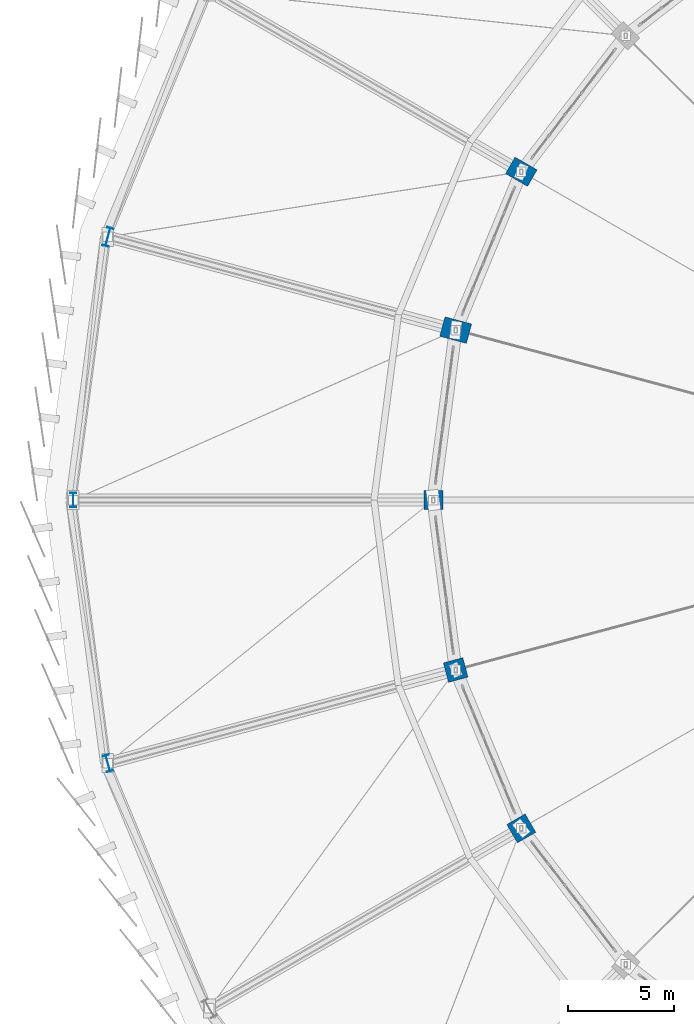
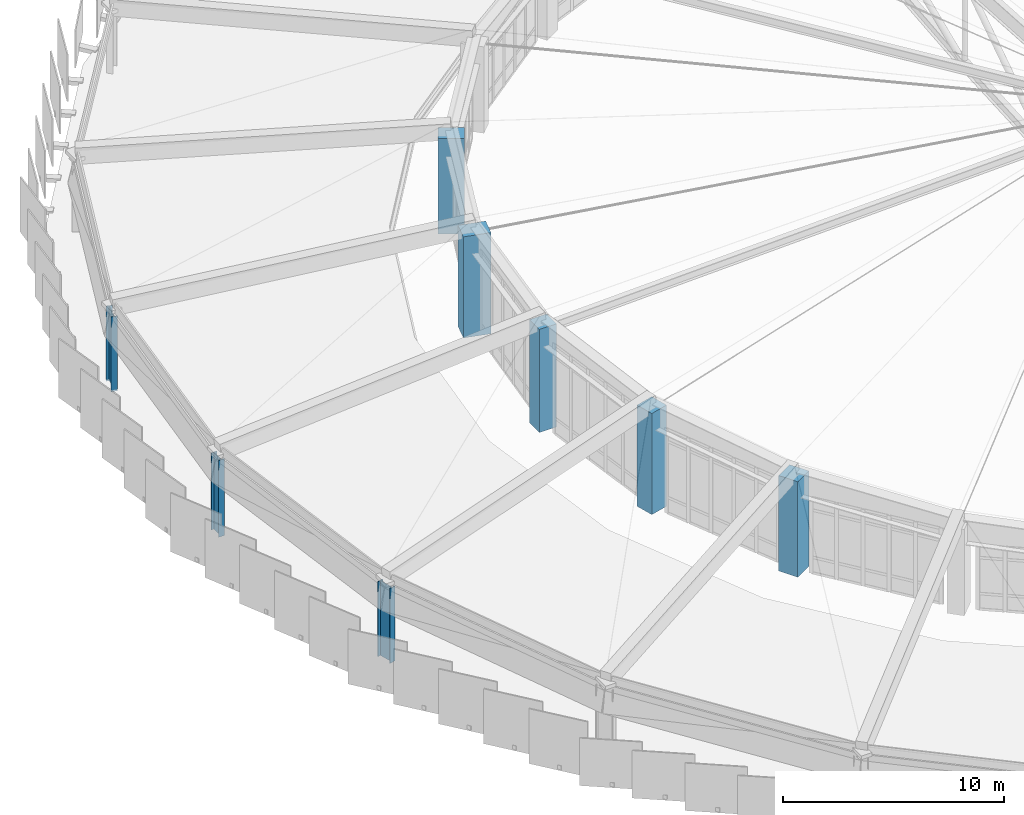
# One storey, part 2 of 68: 8 columns.
"""IFC4 building model written with IfcOpenShell, lengths in metres."""

from ifc_helpers import new_model, si_unit, direction, frame, origin, origin_2d, place, context, subcontext, project, spatial, rectangle, i_section, extrude, material, material_profile, profile_set, type_object, element, save


model = new_model("IFC4")

# Units and contexts
model_context = context("Model", 3, precision=1e-05, world=origin(), true_north=direction((0.0, 1.0)))
body_context = subcontext(model_context, "Body", "Model", "MODEL_VIEW")
ifc_project = project(units=[si_unit("LENGTHUNIT", "METRE"), si_unit("AREAUNIT", "SQUARE_METRE"), si_unit("VOLUMEUNIT", "CUBIC_METRE"), si_unit("PLANEANGLEUNIT", "RADIAN"), si_unit("MASSUNIT", "GRAM", prefix="KILO")], contexts=[model_context])

# Site, building, storey
site_placement = place(None, origin())
site = spatial("IfcSite", under=ifc_project, at=site_placement, CompositionType="ELEMENT")
building_placement = place(site_placement, origin())
building = spatial("IfcBuilding", under=site, at=building_placement, Name="Sohan Crest Arena", CompositionType="ELEMENT")
storey_placement = place(building_placement, frame((0.0, 0.0, 27.0)))
storey = spatial("IfcBuildingStorey", under=building, at=storey_placement, Name="RF", CompositionType="ELEMENT", Elevation=27.0)

# Columns
ifc_material_1 = material(Name="Concrete C40/50", Category="concrete")
ifc_material_profile_1 = material_profile(ifc_material_1, rectangle(XDim=0.89990234375, YDim=0.89990234375, at=origin_2d()), Name="RC 900x900")
ifc_profile_set_1 = profile_set([ifc_material_profile_1], Name="Concrete C40/50")
column_type_1 = type_object("IfcColumnType", Name="STR-COL-C07", PredefinedType="COLUMN", material=ifc_profile_set_1)
column_1_placement = place(storey_placement, frame((67.0, 78.0, 0.0), z_axis=(0.0, 0.0, 1.0), x_axis=(1.0, 0.0, 0.0)))
element("IfcColumn", 1, at=column_1_placement, inside=storey, type_object=column_type_1, Name="Structural column COL-V1R-07-RF", PredefinedType="COLUMN", context=body_context, shape_type="SweptSolid", body=[
    extrude(rectangle(XDim=0.89990234375, YDim=0.89990234375, at=origin_2d()), origin(), (0.0, 0.0, 1.0), 5.697021484375),
])
ifc_material_profile_2 = material_profile(ifc_material_1, rectangle(XDim=0.949951171875, YDim=0.949951171875, at=origin_2d()), Name="RC 950x950")
ifc_profile_set_2 = profile_set([ifc_material_profile_2], Name="Concrete C40/50")
column_type_2 = type_object("IfcColumnType", Name="STR-COL-C08", PredefinedType="COLUMN", material=ifc_profile_set_2)
column_2_placement = place(storey_placement, frame((68.055908203125, 69.97705078125, 0.0), z_axis=(0.0, 0.0, 1.0), x_axis=(0.965925826289, 0.258819045103, 0.0)))
element("IfcColumn", 2, at=column_2_placement, inside=storey, type_object=column_type_2, Name="Structural column COL-V1R-08-RF", PredefinedType="COLUMN", context=body_context, shape_type="SweptSolid", body=[
    extrude(rectangle(XDim=0.949951171875, YDim=0.949951171875, at=origin_2d()), origin(), (0.0, 0.0, 1.0), 5.589111328125),
])
ifc_material_profile_3 = material_profile(ifc_material_1, rectangle(XDim=1.0, YDim=1.0, at=origin_2d()), Name="RC 1000x1000")
ifc_profile_set_3 = profile_set([ifc_material_profile_3], Name="Concrete C40/50")
column_type_3 = type_object("IfcColumnType", Name="STR-COL-C09", PredefinedType="COLUMN", material=ifc_profile_set_3)
column_3_placement = place(storey_placement, frame((71.153076171875, 62.5, 0.0), z_axis=(0.0, 0.0, 1.0), x_axis=(0.866025403784, 0.5, 0.0)))
element("IfcColumn", 3, at=column_3_placement, inside=storey, type_object=column_type_3, Name="Structural column COL-V1R-09-RF", PredefinedType="COLUMN", context=body_context, shape_type="SweptSolid", body=[
    extrude(rectangle(XDim=1.0, YDim=1.0, at=origin_2d()), origin(), (0.0, 0.0, 1.0), 5.27392578125),
])
ifc_material_profile_4 = material_profile(ifc_material_1, rectangle(XDim=1.199951171875, YDim=0.89990234375, at=origin_2d()), Name="RC 1200x900")
ifc_profile_set_4 = profile_set([ifc_material_profile_4], Name="Concrete C40/50")
column_type_4 = type_object("IfcColumnType", Name="STR-COL-C11", PredefinedType="COLUMN", material=ifc_profile_set_4)
column_4_placement = place(storey_placement, frame((71.153076171875, 93.5, 0.0), z_axis=(0.0, 0.0, 1.0), x_axis=(-0.866025403784, 0.5, 0.0)))
element("IfcColumn", 4, at=column_4_placement, inside=storey, type_object=column_type_4, Name="Structural column COL-V1R-05-RF", PredefinedType="COLUMN", context=body_context, shape_type="SweptSolid", body=[
    extrude(rectangle(XDim=1.199951171875, YDim=0.89990234375, at=origin_2d()), origin(), (0.0, 0.0, 1.0), 5.27392578125),
])
ifc_material_profile_5 = material_profile(ifc_material_1, rectangle(XDim=1.300048828125, YDim=0.949951171875, at=origin_2d()), Name="RC 1300x950")
ifc_profile_set_5 = profile_set([ifc_material_profile_5], Name="Concrete C40/50")
column_type_5 = type_object("IfcColumnType", Name="STR-COL-C12", PredefinedType="COLUMN", material=ifc_profile_set_5)
column_5_placement = place(storey_placement, frame((68.055908203125, 86.02294921875, 0.0), z_axis=(0.0, 0.0, 1.0), x_axis=(-0.965925826289, 0.258819045103, 0.0)))
element("IfcColumn", 5, at=column_5_placement, inside=storey, type_object=column_type_5, Name="Structural column COL-V1R-06-RF", PredefinedType="COLUMN", context=body_context, shape_type="SweptSolid", body=[
    extrude(rectangle(XDim=1.300048828125, YDim=0.949951171875, at=origin_2d()), origin(), (0.0, 0.0, 1.0), 5.589111328125),
])
ifc_material_2 = material(Name="Steel S355", Category="steel")
ifc_material_profile_6 = material_profile(ifc_material_2, i_section(OverallWidth=0.300048828125, OverallDepth=0.699951171875, WebThickness=0.01708984375, FlangeThickness=0.031982421875, at=origin_2d()), Name="HEB 700")
ifc_profile_set_6 = profile_set([ifc_material_profile_6], Name="Steel S355")
column_type_6 = type_object("IfcColumnType", Name="STR-COL-C21", PredefinedType="COLUMN", material=ifc_profile_set_6)
column_6_placement = place(storey_placement, frame((50.0, 78.0, 0.0), z_axis=(0.0, 0.0, 1.0), x_axis=(1.0, 0.0, 0.0)))
element("IfcColumn", 6, at=column_6_placement, inside=storey, type_object=column_type_6, Name="Structural column COL-V2O-07-RF", PredefinedType="COLUMN", context=body_context, shape_type="SweptSolid", body=[
    extrude(i_section(OverallWidth=0.300048828125, OverallDepth=0.699951171875, WebThickness=0.01708984375, FlangeThickness=0.031982421875, at=origin_2d()), origin(), (0.0, 0.0, 1.0), 4.2470703125),
])
ifc_material_profile_7 = material_profile(ifc_material_2, i_section(OverallWidth=0.300048828125, OverallDepth=0.800048828125, WebThickness=0.017578125, FlangeThickness=0.032958984375, at=origin_2d()), Name="HEB 800")
ifc_profile_set_7 = profile_set([ifc_material_profile_7], Name="Steel S355")
column_type_7 = type_object("IfcColumnType", Name="STR-COL-C22", PredefinedType="COLUMN", material=ifc_profile_set_7)
column_7_placement = place(storey_placement, frame((51.635986328125, 65.576904296875, 0.0), z_axis=(0.0, 0.0, 1.0), x_axis=(0.965925826289, 0.258819045103, 0.0)))
element("IfcColumn", 7, at=column_7_placement, inside=storey, type_object=column_type_7, Name="Structural column COL-V2O-08-RF", PredefinedType="COLUMN", context=body_context, shape_type="SweptSolid", body=[
    extrude(i_section(OverallWidth=0.300048828125, OverallDepth=0.800048828125, WebThickness=0.017578125, FlangeThickness=0.032958984375, at=origin_2d()), origin(), (0.0, 0.0, 1.0), 4.138916015625),
])
ifc_material_profile_8 = material_profile(ifc_material_2, i_section(OverallWidth=0.300048828125, OverallDepth=0.89990234375, WebThickness=0.0185546875, FlangeThickness=0.034912109375, at=origin_2d()), Name="HEB 900")
ifc_profile_set_8 = profile_set([ifc_material_profile_8], Name="Steel S355")
column_type_8 = type_object("IfcColumnType", Name="STR-COL-C23", PredefinedType="COLUMN", material=ifc_profile_set_8)
column_8_placement = place(storey_placement, frame((51.635986328125, 90.423095703125, 0.0), z_axis=(0.0, 0.0, 1.0), x_axis=(-0.965925826289, 0.258819045103, 0.0)))
element("IfcColumn", 8, at=column_8_placement, inside=storey, type_object=column_type_8, Name="Structural column COL-V2O-06-RF", PredefinedType="COLUMN", context=body_context, shape_type="SweptSolid", body=[
    extrude(i_section(OverallWidth=0.300048828125, OverallDepth=0.89990234375, WebThickness=0.0185546875, FlangeThickness=0.034912109375, at=origin_2d()), origin(), (0.0, 0.0, 1.0), 4.138916015625),
])

save(model, "model.ifc")
